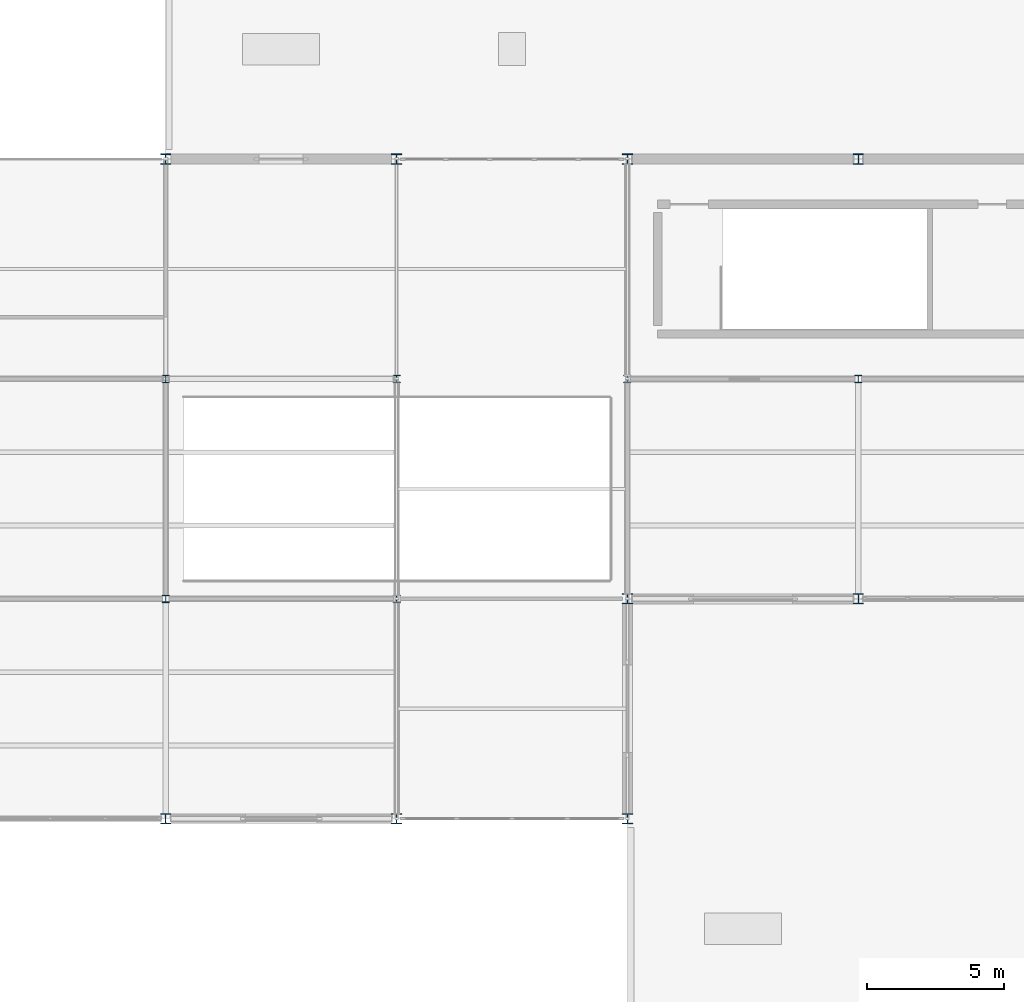
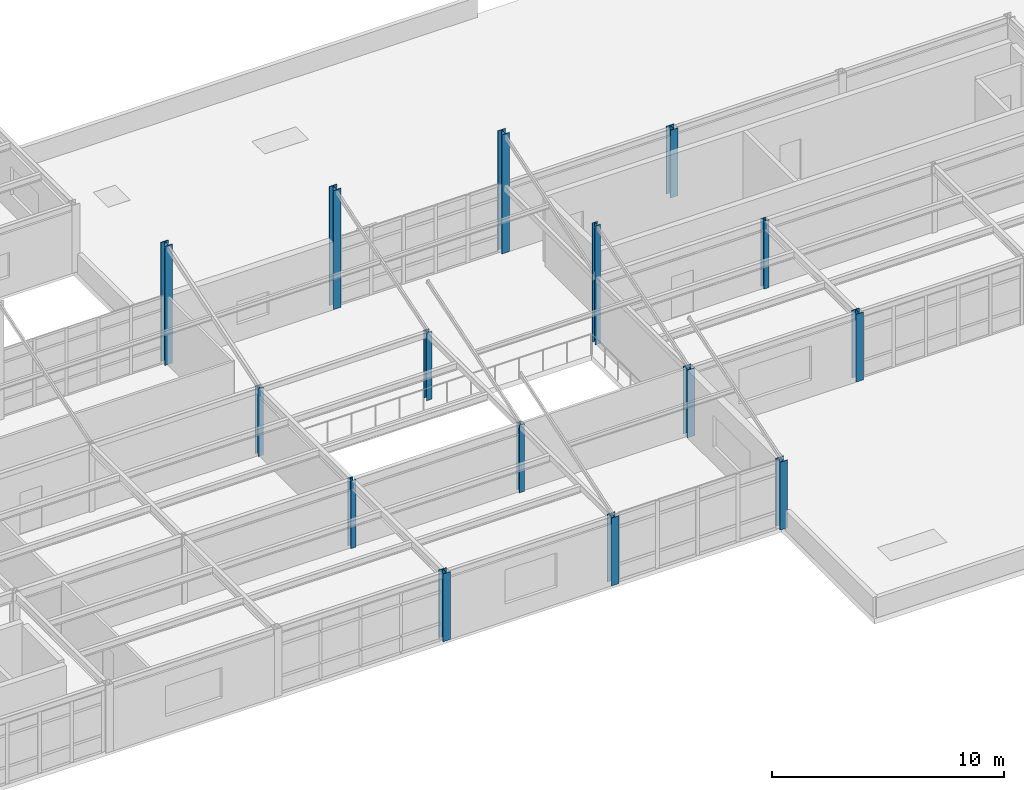
# One storey, part 2 of 96: 15 columns.
"""IFC4 building model written with IfcOpenShell, lengths in metres."""

from ifc_helpers import new_model, si_unit, direction, frame, origin, origin_2d, place, context, subcontext, project, spatial, i_section, extrude, material, material_profile, profile_set, type_object, element, save


model = new_model("IFC4")

# Units and contexts
model_context = context("Model", 3, precision=1e-05, world=origin(), true_north=direction((0.0, 1.0)))
body_context = subcontext(model_context, "Body", "Model", "MODEL_VIEW")
ifc_project = project(units=[si_unit("LENGTHUNIT", "METRE"), si_unit("AREAUNIT", "SQUARE_METRE"), si_unit("VOLUMEUNIT", "CUBIC_METRE"), si_unit("PLANEANGLEUNIT", "RADIAN"), si_unit("MASSUNIT", "GRAM", prefix="KILO")], contexts=[model_context])

# Site, building, storey
site_placement = place(None, origin())
site = spatial("IfcSite", under=ifc_project, at=site_placement, CompositionType="ELEMENT")
building_placement = place(site_placement, origin())
building = spatial("IfcBuilding", under=site, at=building_placement, Name="Kranzveld Transit Interchange", CompositionType="ELEMENT")
storey_placement = place(building_placement, frame((0.0, 0.0, 9.52001953125)))
storey = spatial("IfcBuildingStorey", under=building, at=storey_placement, Name="L02", CompositionType="ELEMENT", Elevation=9.52001953125)

# Columns
ifc_material_1 = material(Name="Steel S355JR", Category="steel")
ifc_material_profile_1 = material_profile(ifc_material_1, i_section(OverallWidth=0.2587890625, OverallDepth=0.2666015625, WebThickness=0.0126953125, FlangeThickness=0.0205078125, FilletRadius=0.0126953125, at=origin_2d()), Name="UC 254x254x107")
ifc_profile_set_1 = profile_set([ifc_material_profile_1], Name="Steel S355JR")
column_type_1 = type_object("IfcColumnType", Name="Column Steel UC 254x254x107 S355JR", PredefinedType="COLUMN", material=ifc_profile_set_1)
for number, where, z_axis, x_axis, name in (
    (1, (33.60009765625, 24.0, 0.0), (0.0, 0.0, 1.0), (1.0, 0.0, 0.0), "L02 Column 05/D"),
    (2, (33.60009765625, 32.0, 0.0), (0.0, 0.0, 1.0), (1.0, 0.0, 0.0), "L02 Column 05/E"),
    (3, (42.0, 24.0, 0.0), (0.0, 0.0, 1.0), (1.0, 0.0, 0.0), "L02 Column 06/D"),
    (4, (42.0, 32.0, 0.0), (0.0, 0.0, 1.0), (1.0, 0.0, 0.0), "L02 Column 06/E"),
):
    element("IfcColumn", number, at=place(storey_placement, frame(where, z_axis=z_axis, x_axis=x_axis)), inside=storey, type_object=column_type_1, Name=name, PredefinedType="COLUMN", context=body_context, shape_type="SweptSolid", body=[
        extrude(i_section(OverallWidth=0.2587890625, OverallDepth=0.2666015625, WebThickness=0.0126953125, FlangeThickness=0.0205078125, FilletRadius=0.0126953125, at=origin_2d()), origin(), (0.0, 0.0, 1.0), 3.570068359375),
    ])
column_1_placement = place(storey_placement, frame((50.39990234375, 32.0, 0.0), z_axis=(0.0, 0.0, 1.0), x_axis=(1.0, 0.0, 0.0)))
element("IfcColumn", 5, at=column_1_placement, inside=storey, type_object=column_type_1, Name="L02 Column 07/E", PredefinedType="COLUMN", context=body_context, shape_type="SweptSolid", body=[
    extrude(i_section(OverallWidth=0.2587890625, OverallDepth=0.2666015625, WebThickness=0.0126953125, FlangeThickness=0.0205078125, FilletRadius=0.0126953125, at=origin_2d()), origin(), (0.0, 0.0, 1.0), 6.27490234375),
])
column_2_placement = place(storey_placement, frame((58.800048828125, 32.0, 0.0), z_axis=(0.0, 0.0, 1.0), x_axis=(1.0, 0.0, 0.0)))
element("IfcColumn", 6, at=column_2_placement, inside=storey, type_object=column_type_1, Name="L02 Column 08/E", PredefinedType="COLUMN", context=body_context, shape_type="SweptSolid", body=[
    extrude(i_section(OverallWidth=0.2587890625, OverallDepth=0.2666015625, WebThickness=0.0126953125, FlangeThickness=0.0205078125, FilletRadius=0.0126953125, at=origin_2d()), origin(), (0.0, 0.0, 1.0), 3.570068359375),
])
ifc_material_2 = material(Name="Steel S355JR", Category="steel")
ifc_material_profile_2 = material_profile(ifc_material_2, i_section(OverallWidth=0.374755859375, OverallDepth=0.37451171875, WebThickness=0.0166015625, FlangeThickness=0.027099609375, FilletRadius=0.01513671875, at=origin_2d()), Name="UC 356x368x202")
ifc_profile_set_2 = profile_set([ifc_material_profile_2], Name="Steel S355JR")
column_type_2 = type_object("IfcColumnType", Name="Column Steel UC 356x368x202 S355JR", PredefinedType="COLUMN", material=ifc_profile_set_2)
column_3_placement = place(storey_placement, frame((33.60009765625, 16.0, 0.0), z_axis=(0.0, 0.0, 1.0), x_axis=(1.0, 0.0, 0.0)))
element("IfcColumn", 7, at=column_3_placement, inside=storey, type_object=column_type_2, Name="L02 Column 05/C", PredefinedType="COLUMN", context=body_context, shape_type="SweptSolid", body=[
    extrude(i_section(OverallWidth=0.374755859375, OverallDepth=0.37451171875, WebThickness=0.0166015625, FlangeThickness=0.027099609375, FilletRadius=0.01513671875, at=origin_2d()), origin(), (0.0, 0.0, 1.0), 3.570068359375),
])
column_4_placement = place(storey_placement, frame((33.60009765625, 40.0, 0.0), z_axis=(0.0, 0.0, 1.0), x_axis=(1.0, 0.0, 0.0)))
element("IfcColumn", 8, at=column_4_placement, inside=storey, type_object=column_type_2, Name="L02 Column 05/F", PredefinedType="COLUMN", context=body_context, shape_type="SweptSolid", body=[
    extrude(i_section(OverallWidth=0.374755859375, OverallDepth=0.37451171875, WebThickness=0.0166015625, FlangeThickness=0.027099609375, FilletRadius=0.01513671875, at=origin_2d()), origin(), (0.0, 0.0, 1.0), 6.27490234375),
])
column_5_placement = place(storey_placement, frame((42.0, 16.0, 0.0), z_axis=(0.0, 0.0, 1.0), x_axis=(1.0, 0.0, 0.0)))
element("IfcColumn", 9, at=column_5_placement, inside=storey, type_object=column_type_2, Name="L02 Column 06/C", PredefinedType="COLUMN", context=body_context, shape_type="SweptSolid", body=[
    extrude(i_section(OverallWidth=0.374755859375, OverallDepth=0.37451171875, WebThickness=0.0166015625, FlangeThickness=0.027099609375, FilletRadius=0.01513671875, at=origin_2d()), origin(), (0.0, 0.0, 1.0), 3.570068359375),
])
column_6_placement = place(storey_placement, frame((42.0, 40.0, 0.0), z_axis=(0.0, 0.0, 1.0), x_axis=(1.0, 0.0, 0.0)))
element("IfcColumn", 10, at=column_6_placement, inside=storey, type_object=column_type_2, Name="L02 Column 06/F", PredefinedType="COLUMN", context=body_context, shape_type="SweptSolid", body=[
    extrude(i_section(OverallWidth=0.374755859375, OverallDepth=0.37451171875, WebThickness=0.0166015625, FlangeThickness=0.027099609375, FilletRadius=0.01513671875, at=origin_2d()), origin(), (0.0, 0.0, 1.0), 6.27490234375),
])
for number, where, z_axis, x_axis, name in (
    (11, (50.39990234375, 16.0, 0.0), (0.0, 0.0, 1.0), (1.0, 0.0, 0.0), "L02 Column 07/C"),
    (12, (50.39990234375, 24.0, 0.0), (0.0, 0.0, 1.0), (1.0, 0.0, 0.0), "L02 Column 07/D"),
):
    element("IfcColumn", number, at=place(storey_placement, frame(where, z_axis=z_axis, x_axis=x_axis)), inside=storey, type_object=column_type_2, Name=name, PredefinedType="COLUMN", context=body_context, shape_type="SweptSolid", body=[
        extrude(i_section(OverallWidth=0.374755859375, OverallDepth=0.37451171875, WebThickness=0.0166015625, FlangeThickness=0.027099609375, FilletRadius=0.01513671875, at=origin_2d()), origin(), (0.0, 0.0, 1.0), 3.570068359375),
    ])
column_7_placement = place(storey_placement, frame((50.39990234375, 40.0, 0.0), z_axis=(0.0, 0.0, 1.0), x_axis=(1.0, 0.0, 0.0)))
element("IfcColumn", 13, at=column_7_placement, inside=storey, type_object=column_type_2, Name="L02 Column 07/F", PredefinedType="COLUMN", context=body_context, shape_type="SweptSolid", body=[
    extrude(i_section(OverallWidth=0.374755859375, OverallDepth=0.37451171875, WebThickness=0.0166015625, FlangeThickness=0.027099609375, FilletRadius=0.01513671875, at=origin_2d()), origin(), (0.0, 0.0, 1.0), 6.27490234375),
])
for number, where, z_axis, x_axis, name in (
    (14, (58.800048828125, 24.0, 0.0), (0.0, 0.0, 1.0), (1.0, 0.0, 0.0), "L02 Column 08/D"),
    (15, (58.800048828125, 40.0, 0.0), (0.0, 0.0, 1.0), (1.0, 0.0, 0.0), "L02 Column 08/F"),
):
    element("IfcColumn", number, at=place(storey_placement, frame(where, z_axis=z_axis, x_axis=x_axis)), inside=storey, type_object=column_type_2, Name=name, PredefinedType="COLUMN", context=body_context, shape_type="SweptSolid", body=[
        extrude(i_section(OverallWidth=0.374755859375, OverallDepth=0.37451171875, WebThickness=0.0166015625, FlangeThickness=0.027099609375, FilletRadius=0.01513671875, at=origin_2d()), origin(), (0.0, 0.0, 1.0), 3.570068359375),
    ])

save(model, "model.ifc")
